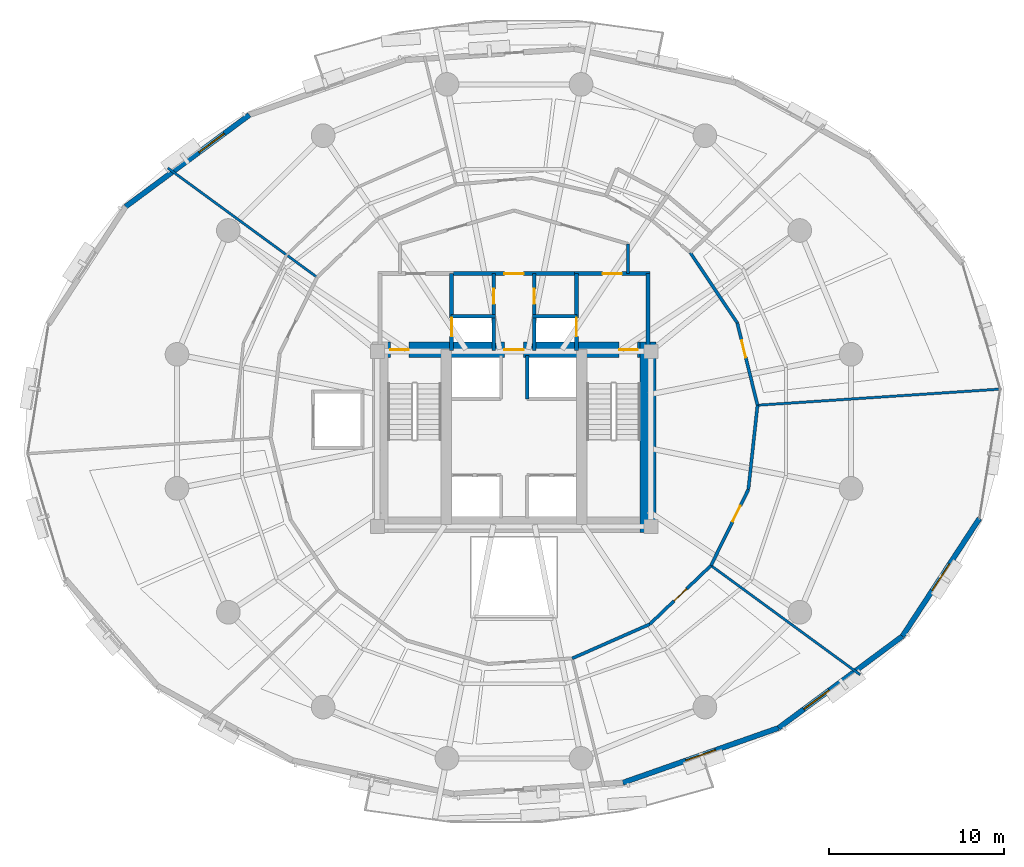
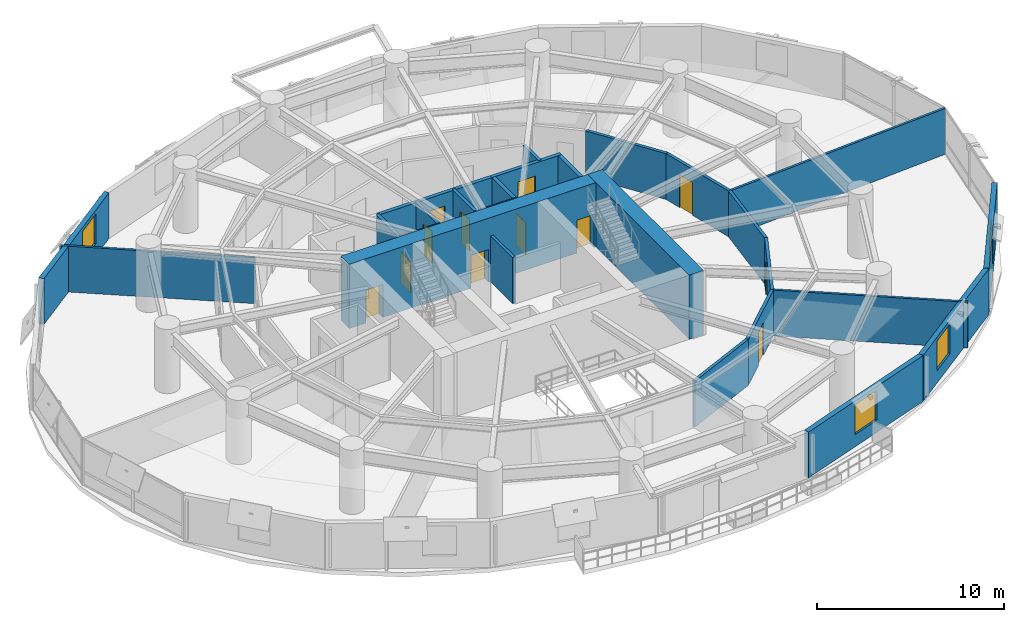
# One storey, part 11 of 16: 26 walls, 12 doors, 4 windows, 16 openings.
"""IFC4 building model written with IfcOpenShell, lengths in metres."""

from ifc_helpers import new_model, si_unit, direction, frame, frame_2d, origin, place, context, subcontext, project, spatial, rectangle, extrude, material, layer, layer_set, type_object, element, fill, save


model = new_model("IFC4")

# Units and contexts
model_context = context("Model", 3, precision=1e-05, world=origin(), true_north=direction((0.0, 1.0)))
body_context = subcontext(model_context, "Body", "Model", "MODEL_VIEW")
ifc_project = project(units=[si_unit("LENGTHUNIT", "METRE"), si_unit("AREAUNIT", "SQUARE_METRE"), si_unit("VOLUMEUNIT", "CUBIC_METRE"), si_unit("PLANEANGLEUNIT", "RADIAN"), si_unit("MASSUNIT", "GRAM", prefix="KILO"), si_unit("THERMODYNAMICTEMPERATUREUNIT", "KELVIN"), si_unit("POWERUNIT", "WATT")], contexts=[model_context])

# Site, building, storey
site_placement = place(None, origin())
site = spatial("IfcSite", under=ifc_project, at=site_placement, CompositionType="ELEMENT")
building_placement = place(site_placement, origin())
building = spatial("IfcBuilding", under=site, at=building_placement, Name="Ocrelia Relay Tower", CompositionType="ELEMENT")
storey_placement = place(building_placement, frame((0.0, 0.0, 46.800048828125)))
storey = spatial("IfcBuildingStorey", under=building, at=storey_placement, Name="L10", CompositionType="ELEMENT", Elevation=46.800048828125)

# Wall, openings, doors
ifc_material_1 = material(Name="Concrete C70/85", Category="concrete")
ifc_layer_1 = layer(ifc_material_1, 0.89990234375, Name="Concrete C70/85")
ifc_layer_set_1 = layer_set([ifc_layer_1], Name="Concrete C70/85")
wall_type_1 = type_object("IfcWallType", Name="CW-CORE-900", PredefinedType="SHEAR", material=ifc_layer_set_1)
wall_1_placement = place(storey_placement, frame((25.922119140625, 30.087890625, 0.0), z_axis=(0.0, 0.0, 1.0), x_axis=(1.0, 0.0, 0.0)))
wall_1 = element("IfcWall", 1, at=wall_1_placement, inside=storey, type_object=wall_type_1, Name="L10 Core Shear Wall N", PredefinedType="SHEAR", context=body_context, shape_type="SweptSolid", body=[
    extrude(rectangle(XDim=16.165771484375, YDim=0.89990234375, at=frame_2d((8.0830078125, 0.0))), origin(), (0.0, 0.0, 1.0), 4.199951171875),
])
opening_1_placement = place(wall_1_placement, frame((1.028076171875, 0.0, 0.0)))
opening_1 = element("IfcOpeningElement", 2, at=opening_1_placement, cuts=wall_1, Name="Opening D-FD90", PredefinedType="OPENING", context=body_context, shape_type="SweptSolid", body=[
    extrude(rectangle(XDim=1.050048828125, YDim=2.14990234375, at=frame_2d((0.52490234375, 1.074951171875))), frame((0.0, 0.4599609375, 0.0), z_axis=(0.0, -1.0, 0.0), x_axis=(1.0, 0.0, 0.0)), (0.0, 0.0, 1.0), 0.919921875),
])
opening_2_placement = place(wall_1_placement, frame((14.077880859375, 0.0, 0.0)))
opening_2 = element("IfcOpeningElement", 3, at=opening_2_placement, cuts=wall_1, Name="Opening D-FD90", PredefinedType="OPENING", context=body_context, shape_type="SweptSolid", body=[
    extrude(rectangle(XDim=1.050048828125, YDim=2.14990234375, at=frame_2d((0.52490234375, 1.074951171875))), frame((0.0, 0.4599609375, 0.0), z_axis=(0.0, -1.0, 0.0), x_axis=(1.0, 0.0, 0.0)), (0.0, 0.0, 1.0), 0.919921875),
])
opening_3_placement = place(wall_1_placement, frame((7.528076171875, 0.0, 0.0)))
opening_3 = element("IfcOpeningElement", 4, at=opening_3_placement, cuts=wall_1, Name="Opening D-FD60", PredefinedType="OPENING", context=body_context, shape_type="SweptSolid", body=[
    extrude(rectangle(XDim=1.10009765625, YDim=2.14990234375, at=frame_2d((0.550048828125, 1.074951171875))), frame((0.0, 0.4599609375, 0.0), z_axis=(0.0, -1.0, 0.0), x_axis=(1.0, 0.0, 0.0)), (0.0, 0.0, 1.0), 0.919921875),
])
ifc_material_2 = material(Name="Timber-core 60-min acoustic fire door", Category="wood")
door_type_1 = type_object("IfcDoorType", Name="DR-LOBBY-FD60-1100", OperationType="NOTDEFINED", PredefinedType="DOOR", material=ifc_material_2)
door_1_placement = place(opening_3_placement, origin())
door_1 = element("IfcDoor", 5, at=door_1_placement, inside=storey, type_object=door_type_1, Name="L10 Core Lift Lobby North Fire Door", OperationType="SINGLE_SWING_RIGHT", OverallHeight=2.14990234375, OverallWidth=1.10009765625, PredefinedType="DOOR", context=body_context, shape_type="SweptSolid", body=[
    extrude(rectangle(XDim=1.10009765625, YDim=2.14990234375, at=frame_2d((0.550048828125, 1.074951171875))), frame((0.0, 0.02490234375, 0.0), z_axis=(0.0, -1.0, 0.0), x_axis=(1.0, 0.0, 0.0)), (0.0, 0.0, 1.0), 0.050048828125),
])
fill(opening_3, door_1)
ifc_material_3 = material(Name="Steel S355 90-min fire door", Category="steel")
door_type_2 = type_object("IfcDoorType", Name="DR-STAIR-FD90-1050", OperationType="NOTDEFINED", PredefinedType="DOOR", material=ifc_material_3)
door_2_placement = place(opening_1_placement, origin())
door_2 = element("IfcDoor", 6, at=door_2_placement, inside=storey, type_object=door_type_2, Name="L10 Stair ST1 Fire Door", OperationType="SINGLE_SWING_RIGHT", OverallHeight=2.14990234375, OverallWidth=1.050048828125, PredefinedType="DOOR", context=body_context, shape_type="SweptSolid", body=[
    extrude(rectangle(XDim=1.050048828125, YDim=2.14990234375, at=frame_2d((0.52490234375, 1.074951171875))), frame((0.0, 0.02490234375, 0.0), z_axis=(0.0, -1.0, 0.0), x_axis=(1.0, 0.0, 0.0)), (0.0, 0.0, 1.0), 0.050048828125),
])
fill(opening_1, door_2)
door_3_placement = place(opening_2_placement, origin())
door_3 = element("IfcDoor", 7, at=door_3_placement, inside=storey, type_object=door_type_2, Name="L10 Stair ST2 Fire Door", OperationType="SINGLE_SWING_LEFT", OverallHeight=2.14990234375, OverallWidth=1.050048828125, PredefinedType="DOOR", context=body_context, shape_type="SweptSolid", body=[
    extrude(rectangle(XDim=1.050048828125, YDim=2.14990234375, at=frame_2d((0.52490234375, 1.074951171875))), frame((0.0, 0.02490234375, 0.0), z_axis=(0.0, -1.0, 0.0), x_axis=(1.0, 0.0, 0.0)), (0.0, 0.0, 1.0), 0.050048828125),
])
fill(opening_2, door_3)

# Walls
wall_2_placement = place(storey_placement, frame((41.637939453125, 19.662109375, 0.0), z_axis=(0.0, 0.0, 1.0), x_axis=(0.0, 1.0, 0.0)))
element("IfcWall", 8, at=wall_2_placement, inside=storey, type_object=wall_type_1, Name="L10 Core Shear Wall E", PredefinedType="SHEAR", context=body_context, shape_type="SweptSolid", body=[
    extrude(rectangle(XDim=10.8759765625, YDim=0.89990234375, at=frame_2d((5.43798828125, 0.0))), origin(), (0.0, 0.0, 1.0), 4.199951171875),
])
ifc_material_4 = material(Name="Gypsum Fireboard Partition EI60", Category="gypsum")
ifc_layer_2 = layer(ifc_material_4, 0.179931640625, Name="Gypsum Fireboard Partition EI60")
ifc_layer_set_2 = layer_set([ifc_layer_2], Name="Gypsum Fireboard Partition EI60")
wall_type_2 = type_object("IfcWallType", Name="W-CORR-EI60-180", PredefinedType="PARTITIONING", material=ifc_layer_set_2)
wall_3_placement = place(storey_placement, frame((40.5, 36.122802734375, 0.0), z_axis=(0.0, 0.0, 1.0), x_axis=(0.0, -1.0, 0.0)))
element("IfcWall", 9, at=wall_3_placement, inside=storey, type_object=wall_type_2, Name="L10 Smoke Lobby East Return", PredefinedType="PARTITIONING", context=body_context, shape_type="SweptSolid", body=[
    extrude(rectangle(XDim=1.69287109375, YDim=0.179931640625, at=frame_2d((0.846435546875, 0.0))), origin(), (0.0, 0.0, 1.0), 3.0),
])
wall_4_placement = place(storey_placement, frame((37.3203125, 12.481689453125, 0.0), z_axis=(0.0, 0.0, 1.0), x_axis=(0.914959483899, 0.403545713425, 0.0)))
element("IfcWall", 10, at=wall_4_placement, inside=storey, type_object=wall_type_2, Name="L10 Monitoring Office E Corridor Partition 1", PredefinedType="PARTITIONING", context=body_context, shape_type="SweptSolid", body=[
    extrude(rectangle(XDim=4.83447265625, YDim=0.179931640625, at=frame_2d((2.417236328125, 0.0))), origin(), (0.0, 0.0, 1.0), 3.0),
])

# Wall, opening, door
wall_5_placement = place(storey_placement, frame((41.74365234375, 14.4326171875, 0.0), z_axis=(0.0, 0.0, 1.0), x_axis=(0.721748503055, 0.692155400425, 0.0)))
wall_5 = element("IfcWall", 11, at=wall_5_placement, inside=storey, type_object=wall_type_2, Name="L10 Monitoring Office E Corridor Partition 2", PredefinedType="PARTITIONING", context=body_context, shape_type="SweptSolid", body=[
    extrude(rectangle(XDim=4.83447265625, YDim=0.179931640625, at=frame_2d((2.417236328125, 0.0))), origin(), (0.0, 0.0, 1.0), 3.0),
])
opening_4_placement = place(wall_5_placement, frame((1.917236328125, 0.0, 0.0)))
opening_4 = element("IfcOpeningElement", 12, at=opening_4_placement, cuts=wall_5, Name="Opening D-RM100", PredefinedType="OPENING", context=body_context, shape_type="SweptSolid", body=[
    extrude(rectangle(XDim=1.0, YDim=2.14990234375, at=frame_2d((0.5, 1.074951171875))), frame((0.0, 0.10009765625, 0.0), z_axis=(0.0, -1.0, 0.0), x_axis=(1.0, 0.0, 0.0)), (0.0, 0.0, 1.0), 0.199951171875),
])
ifc_material_5 = material(Name="Acoustic oak veneer fire door", Category="wood")
door_type_3 = type_object("IfcDoorType", Name="DR-ROOM-FD60-1000", OperationType="NOTDEFINED", PredefinedType="DOOR", material=ifc_material_5)
door_4_placement = place(opening_4_placement, origin())
door_4 = element("IfcDoor", 13, at=door_4_placement, inside=storey, type_object=door_type_3, Name="L10 Monitoring Office E Entrance Door", OperationType="SINGLE_SWING_LEFT", OverallHeight=2.14990234375, OverallWidth=1.0, PredefinedType="DOOR", context=body_context, shape_type="SweptSolid", body=[
    extrude(rectangle(XDim=1.0, YDim=2.14990234375, at=frame_2d((0.5, 1.074951171875))), frame((0.0, 0.02490234375, 0.0), z_axis=(0.0, -1.0, 0.0), x_axis=(1.0, 0.0, 0.0)), (0.0, 0.0, 1.0), 0.050048828125),
])
fill(opening_4, door_4)

wall_6_placement = place(storey_placement, frame((45.23291015625, 17.77880859375, 0.0), z_axis=(0.0, 0.0, 1.0), x_axis=(0.44148764498, 0.897267328799, 0.0)))
wall_6 = element("IfcWall", 14, at=wall_6_placement, inside=storey, type_object=wall_type_2, Name="L10 Fiber Patch Store Corridor Partition 1", PredefinedType="PARTITIONING", context=body_context, shape_type="SweptSolid", body=[
    extrude(rectangle(XDim=4.834228515625, YDim=0.179931640625, at=frame_2d((2.4169921875, 0.0))), origin(), (0.0, 0.0, 1.0), 3.0),
])
opening_5_placement = place(wall_6_placement, frame((2.80078125, 0.0, 0.0)))
opening_5 = element("IfcOpeningElement", 15, at=opening_5_placement, cuts=wall_6, Name="Opening D-RM100", PredefinedType="OPENING", context=body_context, shape_type="SweptSolid", body=[
    extrude(rectangle(XDim=1.0, YDim=2.14990234375, at=frame_2d((0.5, 1.074951171875))), frame((0.0, 0.10009765625, 0.0), z_axis=(0.0, -1.0, 0.0), x_axis=(1.0, 0.0, 0.0)), (0.0, 0.0, 1.0), 0.199951171875),
])
door_5_placement = place(opening_5_placement, origin())
door_5 = element("IfcDoor", 16, at=door_5_placement, inside=storey, type_object=door_type_3, Name="L10 Fiber Patch Store Entrance Door", OperationType="SINGLE_SWING_RIGHT", OverallHeight=2.14990234375, OverallWidth=1.0, PredefinedType="DOOR", context=body_context, shape_type="SweptSolid", body=[
    extrude(rectangle(XDim=1.0, YDim=2.14990234375, at=frame_2d((0.5, 1.074951171875))), frame((0.0, 0.02490234375, 0.0), z_axis=(0.0, -1.0, 0.0), x_axis=(1.0, 0.0, 0.0)), (0.0, 0.0, 1.0), 0.050048828125),
])
fill(opening_5, door_5)

# Wall
wall_7_placement = place(storey_placement, frame((47.3671875, 22.116455078125, 0.0), z_axis=(0.0, 0.0, 1.0), x_axis=(0.108020120209, 0.994148708006, 0.0)))
element("IfcWall", 17, at=wall_7_placement, inside=storey, type_object=wall_type_2, Name="L10 Fiber Patch Store Corridor Partition 2", PredefinedType="PARTITIONING", context=body_context, shape_type="SweptSolid", body=[
    extrude(rectangle(XDim=4.83447265625, YDim=0.179931640625, at=frame_2d((2.417236328125, 0.0))), origin(), (0.0, 0.0, 1.0), 3.0),
])

# Wall, opening, door
wall_8_placement = place(storey_placement, frame((47.889404296875, 26.922607421875, 0.0), z_axis=(0.0, 0.0, 1.0), x_axis=(-0.23856484239, 0.971126570523, 0.0)))
wall_8 = element("IfcWall", 18, at=wall_8_placement, inside=storey, type_object=wall_type_2, Name="L10 Shift Staff Lounge Corridor Partition 1", PredefinedType="PARTITIONING", context=body_context, shape_type="SweptSolid", body=[
    extrude(rectangle(XDim=4.83447265625, YDim=0.179931640625, at=frame_2d((2.417236328125, 0.0))), origin(), (0.0, 0.0, 1.0), 3.0),
])
opening_6_placement = place(wall_8_placement, frame((2.80078125, 0.0, 0.0)))
opening_6 = element("IfcOpeningElement", 19, at=opening_6_placement, cuts=wall_8, Name="Opening D-RM100", PredefinedType="OPENING", context=body_context, shape_type="SweptSolid", body=[
    extrude(rectangle(XDim=1.0, YDim=2.14990234375, at=frame_2d((0.5, 1.074951171875))), frame((0.0, 0.10009765625, 0.0), z_axis=(0.0, -1.0, 0.0), x_axis=(1.0, 0.0, 0.0)), (0.0, 0.0, 1.0), 0.199951171875),
])
door_6_placement = place(opening_6_placement, origin())
door_6 = element("IfcDoor", 20, at=door_6_placement, inside=storey, type_object=door_type_3, Name="L10 Shift Staff Lounge Entrance Door", OperationType="SINGLE_SWING_LEFT", OverallHeight=2.14990234375, OverallWidth=1.0, PredefinedType="DOOR", context=body_context, shape_type="SweptSolid", body=[
    extrude(rectangle(XDim=1.0, YDim=2.14990234375, at=frame_2d((0.5, 1.074951171875))), frame((0.0, 0.02490234375, 0.0), z_axis=(0.0, -1.0, 0.0), x_axis=(1.0, 0.0, 0.0)), (0.0, 0.0, 1.0), 0.050048828125),
])
fill(opening_6, door_6)

# Wall
wall_9_placement = place(storey_placement, frame((46.736083984375, 31.617431640625, 0.0), z_axis=(0.0, 0.0, 1.0), x_axis=(-0.556295861918, 0.830984304312, 0.0)))
element("IfcWall", 21, at=wall_9_placement, inside=storey, type_object=wall_type_2, Name="L10 Shift Staff Lounge Corridor Partition 2", PredefinedType="PARTITIONING", context=body_context, shape_type="SweptSolid", body=[
    extrude(rectangle(XDim=4.834228515625, YDim=0.179931640625, at=frame_2d((2.4169921875, 0.0))), origin(), (0.0, 0.0, 1.0), 3.0),
])

# Wall, opening, window
ifc_material_6 = material(Name="Precast concrete C40/50 with oxide terracotta", Category="masonry")
ifc_layer_3 = layer(ifc_material_6, 0.300048828125, Name="Precast concrete C40/50 with oxide terracotta")
ifc_layer_set_3 = layer_set([ifc_layer_3], Name="Precast concrete C40/50 with oxide terracotta")
wall_type_3 = type_object("IfcWallType", Name="W-EXT-TERR-300", PredefinedType="SOLIDWALL", material=ifc_layer_set_3)
wall_10_placement = place(storey_placement, frame((18.907958984375, 43.484619140625, 0.0), z_axis=(0.0, 0.0, 1.0), x_axis=(-0.803465201032, -0.595351720187, 0.0)))
wall_10 = element("IfcWall", 22, at=wall_10_placement, inside=storey, type_object=wall_type_3, Name="L10 Oxide Terracotta Facade Wall 07", PredefinedType="SOLIDWALL", context=body_context, shape_type="SweptSolid", body=[
    extrude(rectangle(XDim=8.79248046875, YDim=0.300048828125, at=frame_2d((4.396240234375, 0.0))), origin(), (0.0, 0.0, 1.0), 3.0),
])
opening_7_placement = place(wall_10_placement, frame((1.7900390625, 0.0, 0.800048828125)))
opening_7 = element("IfcOpeningElement", 23, at=opening_7_placement, cuts=wall_10, Name="Opening W-02", PredefinedType="OPENING", context=body_context, shape_type="SweptSolid", body=[
    extrude(rectangle(XDim=1.800048828125, YDim=1.949951171875, at=frame_2d((0.89990234375, 0.97509765625))), frame((0.0, 0.16015625, 0.0), z_axis=(0.0, -1.0, 0.0), x_axis=(1.0, 0.0, 0.0)), (0.0, 0.0, 1.0), 0.320068359375),
])
ifc_material_7 = material(Name="Clear double-glazed low-E glass", Category="glass")
window_type = type_object("IfcWindowType", Name="WIN-Z1-1800x2100", PartitioningType="DOUBLE_PANEL_VERTICAL", PredefinedType="WINDOW", material=ifc_material_7)
window_1_placement = place(opening_7_placement, origin())
window_1 = element("IfcWindow", 24, at=window_1_placement, inside=storey, type_object=window_type, Name="L10 Facade Module Window 07", OverallHeight=1.949951171875, OverallWidth=1.800048828125, PartitioningType="SINGLE_PANEL", PredefinedType="WINDOW", context=body_context, shape_type="SweptSolid", body=[
    extrude(rectangle(XDim=1.800048828125, YDim=1.949951171875, at=frame_2d((0.89990234375, 0.97509765625))), frame((0.0, 0.030029296875, 0.0), z_axis=(0.0, -1.0, 0.0), x_axis=(1.0, 0.0, 0.0)), (0.0, 0.0, 1.0), 0.06005859375),
])
fill(opening_7, window_1)

wall_11_placement = place(storey_placement, frame((40.20703125, 5.3896484375, 0.0), z_axis=(0.0, 0.0, 1.0), x_axis=(0.943328169931, 0.33186136234, 0.0)))
wall_11 = element("IfcWall", 25, at=wall_11_placement, inside=storey, type_object=wall_type_3, Name="L10 Oxide Terracotta Facade Wall 15", PredefinedType="SOLIDWALL", context=body_context, shape_type="SweptSolid", body=[
    extrude(rectangle(XDim=9.418701171875, YDim=0.300048828125, at=frame_2d((4.70947265625, 0.0))), origin(), (0.0, 0.0, 1.0), 3.0),
])
opening_8_placement = place(wall_11_placement, frame((3.80908203125, 0.0, 0.800048828125)))
opening_8 = element("IfcOpeningElement", 26, at=opening_8_placement, cuts=wall_11, Name="Opening W-02", PredefinedType="OPENING", context=body_context, shape_type="SweptSolid", body=[
    extrude(rectangle(XDim=1.800048828125, YDim=1.949951171875, at=frame_2d((0.89990234375, 0.97509765625))), frame((0.0, 0.16015625, 0.0), z_axis=(0.0, -1.0, 0.0), x_axis=(1.0, 0.0, 0.0)), (0.0, 0.0, 1.0), 0.320068359375),
])
window_2_placement = place(opening_8_placement, origin())
window_2 = element("IfcWindow", 27, at=window_2_placement, inside=storey, type_object=window_type, Name="L10 Facade Module Window 15", OverallHeight=1.949951171875, OverallWidth=1.800048828125, PartitioningType="SINGLE_PANEL", PredefinedType="WINDOW", context=body_context, shape_type="SweptSolid", body=[
    extrude(rectangle(XDim=1.800048828125, YDim=1.949951171875, at=frame_2d((0.89990234375, 0.97509765625))), frame((0.0, 0.030029296875, 0.0), z_axis=(0.0, -1.0, 0.0), x_axis=(1.0, 0.0, 0.0)), (0.0, 0.0, 1.0), 0.06005859375),
])
fill(opening_8, window_2)

wall_12_placement = place(storey_placement, frame((49.092041015625, 8.515380859375, 0.0), z_axis=(0.0, 0.0, 1.0), x_axis=(0.803465201032, 0.595351720187, 0.0)))
wall_12 = element("IfcWall", 28, at=wall_12_placement, inside=storey, type_object=wall_type_3, Name="L10 Oxide Terracotta Facade Wall 16", PredefinedType="SOLIDWALL", context=body_context, shape_type="SweptSolid", body=[
    extrude(rectangle(XDim=8.79248046875, YDim=0.300048828125, at=frame_2d((4.396240234375, 0.0))), origin(), (0.0, 0.0, 1.0), 3.0),
])
opening_9_placement = place(wall_12_placement, frame((1.7900390625, 0.0, 0.800048828125)))
opening_9 = element("IfcOpeningElement", 29, at=opening_9_placement, cuts=wall_12, Name="Opening W-02", PredefinedType="OPENING", context=body_context, shape_type="SweptSolid", body=[
    extrude(rectangle(XDim=1.800048828125, YDim=1.949951171875, at=frame_2d((0.89990234375, 0.97509765625))), frame((0.0, 0.16015625, 0.0), z_axis=(0.0, -1.0, 0.0), x_axis=(1.0, 0.0, 0.0)), (0.0, 0.0, 1.0), 0.320068359375),
])
window_3_placement = place(opening_9_placement, origin())
window_3 = element("IfcWindow", 30, at=window_3_placement, inside=storey, type_object=window_type, Name="L10 Facade Module Window 16", OverallHeight=1.949951171875, OverallWidth=1.800048828125, PartitioningType="SINGLE_PANEL", PredefinedType="WINDOW", context=body_context, shape_type="SweptSolid", body=[
    extrude(rectangle(XDim=1.800048828125, YDim=1.949951171875, at=frame_2d((0.89990234375, 0.97509765625))), frame((0.0, 0.030029296875, 0.0), z_axis=(0.0, -1.0, 0.0), x_axis=(1.0, 0.0, 0.0)), (0.0, 0.0, 1.0), 0.06005859375),
])
fill(opening_9, window_3)

wall_13_placement = place(storey_placement, frame((56.156494140625, 13.75, 0.0), z_axis=(0.0, 0.0, 1.0), x_axis=(0.547551088474, 0.836772254267, 0.0)))
wall_13 = element("IfcWall", 31, at=wall_13_placement, inside=storey, type_object=wall_type_3, Name="L10 Oxide Terracotta Facade Wall 17", PredefinedType="SOLIDWALL", context=body_context, shape_type="SweptSolid", body=[
    extrude(rectangle(XDim=8.021728515625, YDim=0.300048828125, at=frame_2d((4.0107421875, 0.0))), origin(), (0.0, 0.0, 1.0), 3.0),
])
opening_10_placement = place(wall_13_placement, frame((3.111083984375, 0.0, 0.800048828125)))
opening_10 = element("IfcOpeningElement", 32, at=opening_10_placement, cuts=wall_13, Name="Opening W-02", PredefinedType="OPENING", context=body_context, shape_type="SweptSolid", body=[
    extrude(rectangle(XDim=1.800048828125, YDim=1.949951171875, at=frame_2d((0.89990234375, 0.97509765625))), frame((0.0, 0.16015625, 0.0), z_axis=(0.0, -1.0, 0.0), x_axis=(1.0, 0.0, 0.0)), (0.0, 0.0, 1.0), 0.320068359375),
])
window_4_placement = place(opening_10_placement, origin())
window_4 = element("IfcWindow", 33, at=window_4_placement, inside=storey, type_object=window_type, Name="L10 Facade Module Window 17", OverallHeight=1.949951171875, OverallWidth=1.800048828125, PartitioningType="SINGLE_PANEL", PredefinedType="WINDOW", context=body_context, shape_type="SweptSolid", body=[
    extrude(rectangle(XDim=1.800048828125, YDim=1.949951171875, at=frame_2d((0.89990234375, 0.97509765625))), frame((0.0, 0.030029296875, 0.0), z_axis=(0.0, -1.0, 0.0), x_axis=(1.0, 0.0, 0.0)), (0.0, 0.0, 1.0), 0.06005859375),
])
fill(opening_10, window_4)

# Wall, opening, door
ifc_material_8 = material(Name="Concrete C50/60", Category="concrete")
ifc_layer_4 = layer(ifc_material_8, 0.219970703125, Name="Concrete C50/60")
ifc_layer_set_4 = layer_set([ifc_layer_4], Name="Concrete C50/60")
wall_type_4 = type_object("IfcWallType", Name="W-FFL-EI120-220", PredefinedType="SOLIDWALL", material=ifc_layer_set_4)
wall_14_placement = place(storey_placement, frame((30.43994140625, 30.050048828125, 0.0), z_axis=(0.0, 0.0, 1.0), x_axis=(0.0, 1.0, 0.0)))
wall_14 = element("IfcWall", 34, at=wall_14_placement, inside=storey, type_object=wall_type_4, Name="L10 W Fire Service Lift Lobby East Wall", PredefinedType="SOLIDWALL", context=body_context, shape_type="SweptSolid", body=[
    extrude(rectangle(XDim=4.3798828125, YDim=0.219970703125, at=frame_2d((2.18994140625, 0.0))), origin(), (0.0, 0.0, 1.0), 3.0),
])
opening_11_placement = place(wall_14_placement, frame((0.800048828125, 0.0, 0.0)))
opening_11 = element("IfcOpeningElement", 35, at=opening_11_placement, cuts=wall_14, Name="Opening LD-FFL1", PredefinedType="OPENING", context=body_context, shape_type="SweptSolid", body=[
    extrude(rectangle(XDim=1.050048828125, YDim=2.10009765625, at=frame_2d((0.52490234375, 1.050048828125))), frame((0.0, 0.1201171875, 0.0), z_axis=(0.0, -1.0, 0.0), x_axis=(1.0, 0.0, 0.0)), (0.0, 0.0, 1.0), 0.239990234375),
])
ifc_material_9 = material(Name="Brushed stainless steel S355 lift landing door", Category="steel")
door_type_4 = type_object("IfcDoorType", Name="DR-LIFT-LAND-1050", OperationType="DOUBLE_DOOR_SLIDING", PredefinedType="USERDEFINED", material=ifc_material_9)
door_7_placement = place(opening_11_placement, origin())
door_7 = element("IfcDoor", 36, at=door_7_placement, inside=storey, type_object=door_type_4, Name="L10 Firefighting Lift FFL1 Sliding Landing Door", ObjectType="LANDING DOOR", OperationType="DOUBLE_DOOR_SLIDING", OverallHeight=2.10009765625, OverallWidth=1.050048828125, PredefinedType="USERDEFINED", context=body_context, shape_type="SweptSolid", body=[
    extrude(rectangle(XDim=1.050048828125, YDim=2.10009765625, at=frame_2d((0.52490234375, 1.050048828125))), frame((0.0, 0.02490234375, 0.0), z_axis=(0.0, -1.0, 0.0), x_axis=(1.0, 0.0, 0.0)), (0.0, 0.0, 1.0), 0.050048828125),
])
fill(opening_11, door_7)

wall_15_placement = place(storey_placement, frame((37.56005859375, 30.050048828125, 0.0), z_axis=(0.0, 0.0, 1.0), x_axis=(0.0, 1.0, 0.0)))
wall_15 = element("IfcWall", 37, at=wall_15_placement, inside=storey, type_object=wall_type_4, Name="L10 E Fire Service Lift Lobby West Wall", PredefinedType="SOLIDWALL", context=body_context, shape_type="SweptSolid", body=[
    extrude(rectangle(XDim=4.3798828125, YDim=0.219970703125, at=frame_2d((2.18994140625, 0.0))), origin(), (0.0, 0.0, 1.0), 3.0),
])
opening_12_placement = place(wall_15_placement, frame((0.800048828125, 0.0, 0.0)))
opening_12 = element("IfcOpeningElement", 38, at=opening_12_placement, cuts=wall_15, Name="Opening LD-FFL2", PredefinedType="OPENING", context=body_context, shape_type="SweptSolid", body=[
    extrude(rectangle(XDim=1.050048828125, YDim=2.10009765625, at=frame_2d((0.52490234375, 1.050048828125))), frame((0.0, 0.1201171875, 0.0), z_axis=(0.0, -1.0, 0.0), x_axis=(1.0, 0.0, 0.0)), (0.0, 0.0, 1.0), 0.239990234375),
])
door_8_placement = place(opening_12_placement, origin())
door_8 = element("IfcDoor", 39, at=door_8_placement, inside=storey, type_object=door_type_4, Name="L10 Firefighting Lift FFL2 Sliding Landing Door", ObjectType="LANDING DOOR", OperationType="DOUBLE_DOOR_SLIDING", OverallHeight=2.10009765625, OverallWidth=1.050048828125, PredefinedType="USERDEFINED", context=body_context, shape_type="SweptSolid", body=[
    extrude(rectangle(XDim=1.050048828125, YDim=2.10009765625, at=frame_2d((0.52490234375, 1.050048828125))), frame((0.0, 0.02490234375, 0.0), z_axis=(0.0, -1.0, 0.0), x_axis=(1.0, 0.0, 0.0)), (0.0, 0.0, 1.0), 0.050048828125),
])
fill(opening_12, door_8)

# Wall
wall_16_placement = place(storey_placement, frame((41.64990234375, 30.050048828125, 0.0), z_axis=(0.0, 0.0, 1.0), x_axis=(0.0, 1.0, 0.0)))
element("IfcWall", 40, at=wall_16_placement, inside=storey, type_object=wall_type_4, Name="L10 E Fire Service Lift Lobby East Wall", PredefinedType="SOLIDWALL", context=body_context, shape_type="SweptSolid", body=[
    extrude(rectangle(XDim=4.3798828125, YDim=0.219970703125, at=frame_2d((2.18994140625, 0.0))), origin(), (0.0, 0.0, 1.0), 3.0),
])

# Wall, opening, door
wall_17_placement = place(storey_placement, frame((37.449951171875, 34.429931640625, 0.0), z_axis=(0.0, 0.0, 1.0), x_axis=(1.0, 0.0, 0.0)))
wall_17 = element("IfcWall", 41, at=wall_17_placement, inside=storey, type_object=wall_type_4, Name="L10 E Fire Service Lift Lobby North Wall", PredefinedType="SOLIDWALL", context=body_context, shape_type="SweptSolid", body=[
    extrude(rectangle(XDim=4.31005859375, YDim=0.219970703125, at=frame_2d((2.155029296875, 0.0))), origin(), (0.0, 0.0, 1.0), 3.0),
])
opening_13_placement = place(wall_17_placement, frame((1.60009765625, 0.0, 0.0)))
opening_13 = element("IfcOpeningElement", 42, at=opening_13_placement, cuts=wall_17, Name="Opening D-FD60", PredefinedType="OPENING", context=body_context, shape_type="SweptSolid", body=[
    extrude(rectangle(XDim=1.10009765625, YDim=2.14990234375, at=frame_2d((0.550048828125, 1.074951171875))), frame((0.0, 0.1201171875, 0.0), z_axis=(0.0, -1.0, 0.0), x_axis=(1.0, 0.0, 0.0)), (0.0, 0.0, 1.0), 0.239990234375),
])
door_9_placement = place(opening_13_placement, origin())
door_9 = element("IfcDoor", 43, at=door_9_placement, inside=storey, type_object=door_type_1, Name="L10 E Fire Service Lift Lobby Exit Door", OperationType="SINGLE_SWING_LEFT", OverallHeight=2.14990234375, OverallWidth=1.10009765625, PredefinedType="DOOR", context=body_context, shape_type="SweptSolid", body=[
    extrude(rectangle(XDim=1.10009765625, YDim=2.14990234375, at=frame_2d((0.550048828125, 1.074951171875))), frame((0.0, 0.02490234375, 0.0), z_axis=(0.0, -1.0, 0.0), x_axis=(1.0, 0.0, 0.0)), (0.0, 0.0, 1.0), 0.050048828125),
])
fill(opening_13, door_9)

wall_18_placement = place(storey_placement, frame((30.43994140625, 34.429931640625, 0.0), z_axis=(0.0, 0.0, 1.0), x_axis=(1.0, 0.0, 0.0)))
wall_18 = element("IfcWall", 44, at=wall_18_placement, inside=storey, type_object=wall_type_4, Name="L10 North Core Vestibule Wall", PredefinedType="SOLIDWALL", context=body_context, shape_type="SweptSolid", body=[
    extrude(rectangle(XDim=7.1201171875, YDim=0.219970703125, at=frame_2d((3.56005859375, 0.0))), origin(), (0.0, 0.0, 1.0), 3.0),
])
opening_14_placement = place(wall_18_placement, frame((3.010009765625, 0.0, 0.0)))
opening_14 = element("IfcOpeningElement", 45, at=opening_14_placement, cuts=wall_18, Name="Opening D-FD60", PredefinedType="OPENING", context=body_context, shape_type="SweptSolid", body=[
    extrude(rectangle(XDim=1.10009765625, YDim=2.14990234375, at=frame_2d((0.550048828125, 1.074951171875))), frame((0.0, 0.1201171875, 0.0), z_axis=(0.0, -1.0, 0.0), x_axis=(1.0, 0.0, 0.0)), (0.0, 0.0, 1.0), 0.239990234375),
])
door_10_placement = place(opening_14_placement, origin())
door_10 = element("IfcDoor", 46, at=door_10_placement, inside=storey, type_object=door_type_1, Name="L10 North Core Vestibule Corridor Door", OperationType="SINGLE_SWING_LEFT", OverallHeight=2.14990234375, OverallWidth=1.10009765625, PredefinedType="DOOR", context=body_context, shape_type="SweptSolid", body=[
    extrude(rectangle(XDim=1.10009765625, YDim=2.14990234375, at=frame_2d((0.550048828125, 1.074951171875))), frame((0.0, 0.02490234375, 0.0), z_axis=(0.0, -1.0, 0.0), x_axis=(1.0, 0.0, 0.0)), (0.0, 0.0, 1.0), 0.050048828125),
])
fill(opening_14, door_10)

# Walls
ifc_material_10 = material(Name="Acoustic Fireboard Partition EI60", Category="gypsum")
ifc_layer_5 = layer(ifc_material_10, 0.139892578125, Name="Acoustic Fireboard Partition EI60")
ifc_layer_set_5 = layer_set([ifc_layer_5], Name="Acoustic Fireboard Partition EI60")
wall_type_5 = type_object("IfcWallType", Name="W-PART-140", PredefinedType="PARTITIONING", material=ifc_layer_set_5)
for number, where, z_axis, x_axis, name in (
    (47, (22.76708984375, 34.22119140625, 0.0), (0.0, 0.0, 1.0), (-0.806954200192, 0.590614018453, 0.0), "L10 Operations Office B Radial Partition"),
    (48, (45.23291015625, 17.77880859375, 0.0), (0.0, 0.0, 1.0), (0.806954200192, -0.590614018453, 0.0), "L10 Monitoring Office E Radial Partition"),
):
    element("IfcWall", number, at=place(storey_placement, frame(where, z_axis=z_axis, x_axis=x_axis)), inside=storey, type_object=wall_type_5, Name=name, PredefinedType="PARTITIONING", context=body_context, shape_type="SweptSolid", body=[
        extrude(rectangle(XDim=10.55029296875, YDim=0.139892578125, at=frame_2d((5.275146484375, 0.0))), origin(), (0.0, 0.0, 1.0), 3.0),
    ])
wall_19_placement = place(storey_placement, frame((47.889404296875, 26.922607421875, 0.0), z_axis=(0.0, 0.0, 1.0), x_axis=(0.99780247965, 0.066258671923, 0.0)))
element("IfcWall", 49, at=wall_19_placement, inside=storey, type_object=wall_type_5, Name="L10 Fiber Patch Store Radial Partition", PredefinedType="PARTITIONING", context=body_context, shape_type="SweptSolid", body=[
    extrude(rectangle(XDim=13.880126953125, YDim=0.139892578125, at=frame_2d((6.93994140625, 0.0))), origin(), (0.0, 0.0, 1.0), 3.0),
])
ifc_layer_6 = layer(ifc_material_8, 0.199951171875, Name="Concrete C50/60")
ifc_layer_set_6 = layer_set([ifc_layer_6], Name="Concrete C50/60")
wall_type_6 = type_object("IfcWallType", Name="W-SHAFT-EI120-200", PredefinedType="SOLIDWALL", material=ifc_layer_set_6)
wall_20_placement = place(storey_placement, frame((30.39990234375, 32.0, 0.0), z_axis=(0.0, 0.0, 1.0), x_axis=(1.0, 0.0, 0.0)))
element("IfcWall", 50, at=wall_20_placement, inside=storey, type_object=wall_type_6, Name="L10 FFL1 Hoistway North Wall", PredefinedType="SOLIDWALL", context=body_context, shape_type="SweptSolid", body=[
    extrude(rectangle(XDim=2.550048828125, YDim=0.199951171875, at=frame_2d((1.27490234375, 0.0))), origin(), (0.0, 0.0, 1.0), 3.0),
])

# Wall, opening, door
wall_21_placement = place(storey_placement, frame((32.85009765625, 30.050048828125, 0.0), z_axis=(0.0, 0.0, 1.0), x_axis=(0.0, 1.0, 0.0)))
wall_21 = element("IfcWall", 51, at=wall_21_placement, inside=storey, type_object=wall_type_6, Name="L10 FFL1 and Service Vestibule Wall", PredefinedType="SOLIDWALL", context=body_context, shape_type="SweptSolid", body=[
    extrude(rectangle(XDim=4.3798828125, YDim=0.199951171875, at=frame_2d((2.18994140625, 0.0))), origin(), (0.0, 0.0, 1.0), 3.0),
])
opening_15_placement = place(wall_21_placement, frame((2.64990234375, 0.0, 0.0)))
opening_15 = element("IfcOpeningElement", 52, at=opening_15_placement, cuts=wall_21, Name="Opening D-RS86", PredefinedType="OPENING", context=body_context, shape_type="SweptSolid", body=[
    extrude(rectangle(XDim=0.860107421875, YDim=2.050048828125, at=frame_2d((0.43017578125, 1.02490234375))), frame((0.0, 0.10986328125, 0.0), z_axis=(0.0, -1.0, 0.0), x_axis=(1.0, 0.0, 0.0)), (0.0, 0.0, 1.0), 0.219970703125),
])
ifc_material_11 = material(Name="Steel S355 riser access fire door", Category="steel")
door_type_5 = type_object("IfcDoorType", Name="DR-RISER-TRAP-860", OperationType="NOTDEFINED", PredefinedType="TRAPDOOR", material=ifc_material_11)
door_11_placement = place(opening_15_placement, origin())
door_11 = element("IfcDoor", 53, at=door_11_placement, inside=storey, type_object=door_type_5, Name="L10 Core Support Room W Door", OperationType="SINGLE_SWING_RIGHT", OverallHeight=2.050048828125, OverallWidth=0.860107421875, PredefinedType="TRAPDOOR", context=body_context, shape_type="SweptSolid", body=[
    extrude(rectangle(XDim=0.860107421875, YDim=2.050048828125, at=frame_2d((0.43017578125, 1.02490234375))), frame((0.0, 0.02490234375, 0.0), z_axis=(0.0, -1.0, 0.0), x_axis=(1.0, 0.0, 0.0)), (0.0, 0.0, 1.0), 0.050048828125),
])
fill(opening_15, door_11)

# Wall
wall_22_placement = place(storey_placement, frame((35.050048828125, 32.0, 0.0), z_axis=(0.0, 0.0, 1.0), x_axis=(1.0, 0.0, 0.0)))
element("IfcWall", 54, at=wall_22_placement, inside=storey, type_object=wall_type_6, Name="L10 FFL2 Hoistway North Wall", PredefinedType="SOLIDWALL", context=body_context, shape_type="SweptSolid", body=[
    extrude(rectangle(XDim=2.550048828125, YDim=0.199951171875, at=frame_2d((1.27490234375, 0.0))), origin(), (0.0, 0.0, 1.0), 3.0),
])

# Wall, opening, door
wall_23_placement = place(storey_placement, frame((35.14990234375, 30.050048828125, 0.0), z_axis=(0.0, 0.0, 1.0), x_axis=(0.0, 1.0, 0.0)))
wall_23 = element("IfcWall", 55, at=wall_23_placement, inside=storey, type_object=wall_type_6, Name="L10 FFL2 and Service Vestibule Wall", PredefinedType="SOLIDWALL", context=body_context, shape_type="SweptSolid", body=[
    extrude(rectangle(XDim=4.3798828125, YDim=0.199951171875, at=frame_2d((2.18994140625, 0.0))), origin(), (0.0, 0.0, 1.0), 3.0),
])
opening_16_placement = place(wall_23_placement, frame((2.64990234375, 0.0, 0.0)))
opening_16 = element("IfcOpeningElement", 56, at=opening_16_placement, cuts=wall_23, Name="Opening D-RS86", PredefinedType="OPENING", context=body_context, shape_type="SweptSolid", body=[
    extrude(rectangle(XDim=0.860107421875, YDim=2.050048828125, at=frame_2d((0.43017578125, 1.02490234375))), frame((0.0, 0.10986328125, 0.0), z_axis=(0.0, -1.0, 0.0), x_axis=(1.0, 0.0, 0.0)), (0.0, 0.0, 1.0), 0.219970703125),
])
door_12_placement = place(opening_16_placement, origin())
door_12 = element("IfcDoor", 57, at=door_12_placement, inside=storey, type_object=door_type_5, Name="L10 Core Support Room E Door", OperationType="SINGLE_SWING_RIGHT", OverallHeight=2.050048828125, OverallWidth=0.860107421875, PredefinedType="TRAPDOOR", context=body_context, shape_type="SweptSolid", body=[
    extrude(rectangle(XDim=0.860107421875, YDim=2.050048828125, at=frame_2d((0.43017578125, 1.02490234375))), frame((0.0, 0.02490234375, 0.0), z_axis=(0.0, -1.0, 0.0), x_axis=(1.0, 0.0, 0.0)), (0.0, 0.0, 1.0), 0.050048828125),
])
fill(opening_16, door_12)

# Wall
wall_24_placement = place(storey_placement, frame((34.75, 27.280029296875, 0.0), z_axis=(0.0, 0.0, 1.0), x_axis=(0.0, 1.0, 0.0)))
element("IfcWall", 58, at=wall_24_placement, inside=storey, type_object=wall_type_6, Name="L10 High-Rise Lift Throat Wall E", PredefinedType="SOLIDWALL", context=body_context, shape_type="SweptSolid", body=[
    extrude(rectangle(XDim=2.469970703125, YDim=0.179931640625, at=frame_2d((1.23486328125, 0.0))), origin(), (0.0, 0.0, 1.0), 3.0),
])

save(model, "model.ifc")
